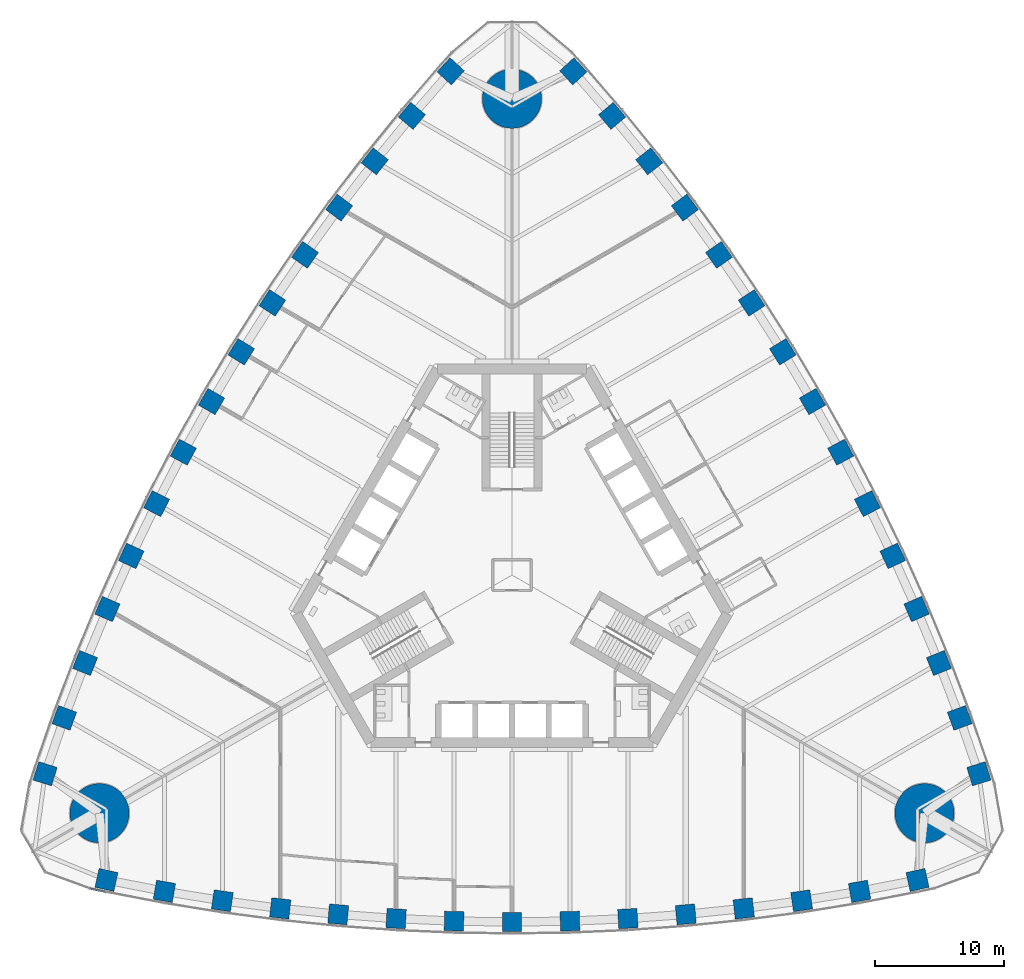
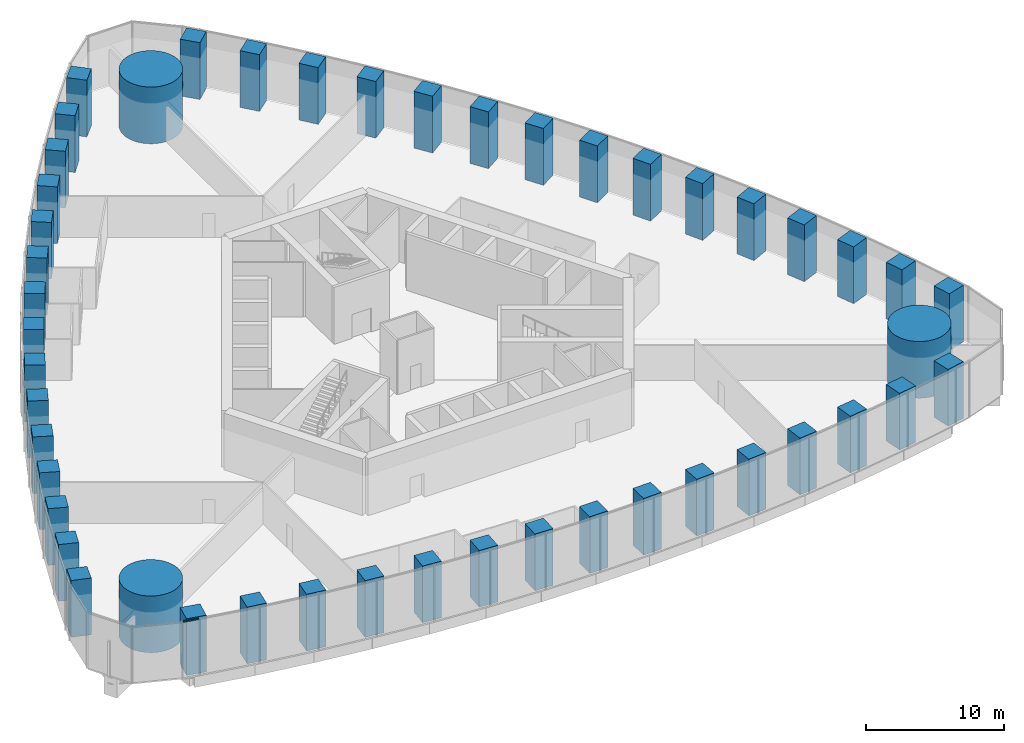
# One storey, part 1 of 21: 48 columns, 1 member, 1 element without a shape of its own.
"""IFC4 building model written with IfcOpenShell, lengths in metres."""

from ifc_helpers import new_model, si_unit, direction, frame, origin, origin_2d, place, context, subcontext, project, spatial, rectangle, circle, extrude, material, material_profile, profile_set, type_object, element, aggregate, save


model = new_model("IFC4")

# Units and contexts
model_context = context("Model", 3, precision=1e-05, world=origin(), true_north=direction((0.0, 1.0)))
body_context = subcontext(model_context, "Body", "Model", "MODEL_VIEW")
ifc_project = project(units=[si_unit("LENGTHUNIT", "METRE"), si_unit("AREAUNIT", "SQUARE_METRE"), si_unit("VOLUMEUNIT", "CUBIC_METRE"), si_unit("PLANEANGLEUNIT", "RADIAN"), si_unit("MASSUNIT", "GRAM", prefix="KILO")], contexts=[model_context])

# Site, building, storey
site_placement = place(None, origin())
site = spatial("IfcSite", under=ifc_project, at=site_placement, CompositionType="ELEMENT")
building_placement = place(site_placement, origin())
building = spatial("IfcBuilding", under=site, at=building_placement, Name="Trefoil Bronze Tower", CompositionType="ELEMENT")
storey_placement = place(building_placement, frame((0.0, 0.0, 11.5)))
storey = spatial("IfcBuildingStorey", under=building, at=storey_placement, Name="L02", CompositionType="ELEMENT", Elevation=11.5)

# Columns
ifc_material_1 = material(Name="Concrete B80", Category="concrete")
ifc_material_profile_1 = material_profile(ifc_material_1, circle(Radius=2.300048828125, at=origin_2d()), Name="RC D4600")
ifc_profile_set_1 = profile_set([ifc_material_profile_1], Name="Concrete B80")
column_type_1 = type_object("IfcColumnType", Name="Mega column RC D4600", PredefinedType="COLUMN", material=ifc_profile_set_1)
for number, where, z_axis, x_axis, name in (
    (1, (32.04296875, -18.5, 0.0), (0.0, 0.0, 1.0), (1.0, 0.0, 0.0), "Mega column K1 L02"),
    (2, (0.0, 37.0, 0.0), (0.0, 0.0, 1.0), (1.0, 0.0, 0.0), "Mega column K2 L02"),
    (3, (-32.04296875, -18.5, 0.0), (0.0, 0.0, 1.0), (1.0, 0.0, 0.0), "Mega column K3 L02"),
):
    element("IfcColumn", number, at=place(storey_placement, frame(where, z_axis=z_axis, x_axis=x_axis)), inside=storey, type_object=column_type_1, Name=name, PredefinedType="COLUMN", context=body_context, shape_type="SweptSolid", body=[
        extrude(circle(Radius=2.300048828125, at=origin_2d()), origin(), (0.0, 0.0, 1.0), 5.0),
    ])
ifc_material_2 = material(Name="Concrete B80", Category="concrete")
ifc_material_profile_2 = material_profile(ifc_material_2, rectangle(XDim=1.5, YDim=1.5, at=origin_2d()), Name="RC 1500x1500")
ifc_profile_set_2 = profile_set([ifc_material_profile_2], Name="Concrete B80")
column_type_2 = type_object("IfcColumnType", Name="Tube column RC 1500x1500", PredefinedType="COLUMN", material=ifc_profile_set_2)
for number, where, z_axis, x_axis, name in (
    (4, (-31.5, -23.684814453125, 0.0), (0.0, 0.0, 1.0), (0.976229647342, -0.216738726697, 0.0), "Tube column F1/-7 L02"),
    (5, (-27.0, -24.56787109375, 0.0), (0.0, 0.0, 1.0), (0.984722470468, -0.174131146426, 0.0), "Tube column F1/-6 L02"),
    (6, (-22.5, -25.29931640625, 0.0), (0.0, 0.0, 1.0), (0.989415676546, -0.145108990094, 0.0), "Tube column F1/-5 L02"),
    (7, (-18.0, -25.895263671875, 0.0), (0.0, 0.0, 1.0), (0.993239048989, -0.116086999973, 0.0), "Tube column F1/-4 L02"),
    (8, (-13.5, -26.35693359375, 0.0), (0.0, 0.0, 1.0), (0.996202620701, -0.087065139456, 0.0), "Tube column F1/-3 L02"),
    (9, (-9.0, -26.68603515625, 0.0), (0.0, 0.0, 1.0), (0.998314062162, -0.058043374207, 0.0), "Tube column F1/-2 L02"),
    (10, (-4.5, -26.883056640625, 0.0), (0.0, 0.0, 1.0), (0.999578782577, -0.029021671584, 0.0), "Tube column F1/-1 L02"),
    (11, (0.0, -26.94873046875, 0.0), (0.0, 0.0, 1.0), (1.0, 0.0, 0.0), "Tube column F1/+0 L02"),
    (12, (4.5, -26.883056640625, 0.0), (0.0, 0.0, 1.0), (0.999578782577, 0.029021671584, 0.0), "Tube column F1/+1 L02"),
    (13, (9.0, -26.68603515625, 0.0), (0.0, 0.0, 1.0), (0.998314062162, 0.058043374207, 0.0), "Tube column F1/+2 L02"),
    (14, (13.5, -26.35693359375, 0.0), (0.0, 0.0, 1.0), (0.996202620701, 0.087065139456, 0.0), "Tube column F1/+3 L02"),
    (15, (18.0, -25.895263671875, 0.0), (0.0, 0.0, 1.0), (0.993239048989, 0.116086999973, 0.0), "Tube column F1/+4 L02"),
    (16, (22.5, -25.29931640625, 0.0), (0.0, 0.0, 1.0), (0.989415676546, 0.145108990094, 0.0), "Tube column F1/+5 L02"),
    (17, (27.0, -24.56787109375, 0.0), (0.0, 0.0, 1.0), (0.984722470468, 0.174131146426, 0.0), "Tube column F1/+6 L02"),
    (18, (31.5, -23.684814453125, 0.0), (0.0, 0.0, 1.0), (0.976229647342, 0.216738726697, 0.0), "Tube column F1/+7 L02"),
    (19, (36.26171875, -15.4375, 0.0), (0.0, 0.0, 1.0), (-0.300413580368, 0.953809037874, 0.0), "Tube column F2/-7 L02"),
    (20, (34.7763671875, -11.0986328125, 0.0), (0.0, 0.0, 1.0), (-0.341559238839, 0.939860248316, 0.0), "Tube column F2/-6 L02"),
    (21, (33.159912109375, -6.8359375, 0.0), (0.0, 0.0, 1.0), (-0.369039766534, 0.929413605838, 0.0), "Tube column F2/-5 L02"),
    (22, (31.42578125, -2.640869140625, 0.0), (0.0, 0.0, 1.0), (-0.396085233469, 0.918213748442, 0.0), "Tube column F2/-4 L02"),
    (23, (29.575927734375, 1.487060546875, 0.0), (0.0, 0.0, 1.0), (-0.422700687798, 0.906269346572, 0.0), "Tube column F2/-3 L02"),
    (24, (27.61083984375, 5.548828125, 0.0), (0.0, 0.0, 1.0), (-0.448889994497, 0.893587025891, 0.0), "Tube column F2/-2 L02"),
    (25, (25.531494140625, 9.54443359375, 0.0), (0.0, 0.0, 1.0), (-0.474655886437, 0.880171454588, 0.0), "Tube column F2/-1 L02"),
    (26, (23.33837890625, 13.474365234375, 0.0), (0.0, 0.0, 1.0), (-0.5, 0.866025403784, 0.0), "Tube column F2/+0 L02"),
    (27, (21.031494140625, 17.338623046875, 0.0), (0.0, 0.0, 1.0), (-0.524922896141, 0.851149783004, 0.0), "Tube column F2/+1 L02"),
    (28, (18.61083984375, 21.13720703125, 0.0), (0.0, 0.0, 1.0), (-0.549424067665, 0.835543651684, 0.0), "Tube column F2/+2 L02"),
    (29, (16.075927734375, 24.869873046875, 0.0), (0.0, 0.0, 1.0), (-0.573501932903, 0.819204207116, 0.0), "Tube column F2/+3 L02"),
    (30, (13.42578125, 28.5361328125, 0.0), (0.0, 0.0, 1.0), (-0.59715381552, 0.802126748469, 0.0), "Tube column F2/+4 L02"),
    (31, (10.659912109375, 32.13525390625, 0.0), (0.0, 0.0, 1.0), (-0.620375910011, 0.784304615744, 0.0), "Tube column F2/+5 L02"),
    (32, (7.7763671875, 35.666748046875, 0.0), (0.0, 0.0, 1.0), (-0.643163231629, 0.765729101889, 0.0), "Tube column F2/+6 L02"),
    (33, (4.76171875, 39.122314453125, 0.0), (0.0, 0.0, 1.0), (-0.675816066975, 0.737070311177, 0.0), "Tube column F2/+7 L02"),
    (34, (-4.76171875, 39.122314453125, 0.0), (0.0, 0.0, 1.0), (-0.675816066975, -0.737070311177, 0.0), "Tube column F3/-7 L02"),
    (35, (-7.7763671875, 35.666748046875, 0.0), (0.0, 0.0, 1.0), (-0.643163231629, -0.765729101889, 0.0), "Tube column F3/-6 L02"),
    (36, (-10.659912109375, 32.13525390625, 0.0), (0.0, 0.0, 1.0), (-0.620375910011, -0.784304615744, 0.0), "Tube column F3/-5 L02"),
    (37, (-13.42578125, 28.5361328125, 0.0), (0.0, 0.0, 1.0), (-0.59715381552, -0.802126748469, 0.0), "Tube column F3/-4 L02"),
    (38, (-16.075927734375, 24.869873046875, 0.0), (0.0, 0.0, 1.0), (-0.573501932903, -0.819204207116, 0.0), "Tube column F3/-3 L02"),
    (39, (-18.61083984375, 21.13720703125, 0.0), (0.0, 0.0, 1.0), (-0.549424067665, -0.835543651684, 0.0), "Tube column F3/-2 L02"),
    (40, (-21.031494140625, 17.338623046875, 0.0), (0.0, 0.0, 1.0), (-0.524922896141, -0.851149783004, 0.0), "Tube column F3/-1 L02"),
    (41, (-23.33837890625, 13.474365234375, 0.0), (0.0, 0.0, 1.0), (-0.5, -0.866025403784, 0.0), "Tube column F3/+0 L02"),
    (42, (-25.531494140625, 9.54443359375, 0.0), (0.0, 0.0, 1.0), (-0.474655886437, -0.880171454588, 0.0), "Tube column F3/+1 L02"),
    (43, (-27.61083984375, 5.548828125, 0.0), (0.0, 0.0, 1.0), (-0.448889994497, -0.893587025891, 0.0), "Tube column F3/+2 L02"),
    (44, (-29.575927734375, 1.487060546875, 0.0), (0.0, 0.0, 1.0), (-0.422700687798, -0.906269346572, 0.0), "Tube column F3/+3 L02"),
    (45, (-31.42578125, -2.640869140625, 0.0), (0.0, 0.0, 1.0), (-0.396085233469, -0.918213748442, 0.0), "Tube column F3/+4 L02"),
    (46, (-33.159912109375, -6.8359375, 0.0), (0.0, 0.0, 1.0), (-0.369039766534, -0.929413605838, 0.0), "Tube column F3/+5 L02"),
    (47, (-34.7763671875, -11.0986328125, 0.0), (0.0, 0.0, 1.0), (-0.341559238839, -0.939860248316, 0.0), "Tube column F3/+6 L02"),
    (48, (-36.26171875, -15.4375, 0.0), (0.0, 0.0, 1.0), (-0.300413580368, -0.953809037874, 0.0), "Tube column F3/+7 L02"),
):
    element("IfcColumn", number, at=place(storey_placement, frame(where, z_axis=z_axis, x_axis=x_axis)), inside=storey, type_object=column_type_2, Name=name, PredefinedType="COLUMN", context=body_context, shape_type="SweptSolid", body=[
        extrude(rectangle(XDim=1.5, YDim=1.5, at=origin_2d()), origin(), (0.0, 0.0, 1.0), 5.0),
    ])

# Curtain wall, member
ifc_material_3 = material(Name="Tinted solar-control glass", Category="glass")
curtain_wall_type = type_object("IfcCurtainWallType", Name="Bronze podium storefront curtain wall", PredefinedType="USERDEFINED", material=ifc_material_3)
curtain_wall_placement = place(storey_placement, origin())
curtain_wall = element("IfcCurtainWall", 49, at=curtain_wall_placement, inside=storey, type_object=curtain_wall_type, Name="CW-C L02 F1", ObjectType="CURTAIN WALL", PredefinedType="USERDEFINED")
ifc_material_4 = material(Name="Bronze-finish aluminium", Category="aluminium")
ifc_material_profile_3 = material_profile(ifc_material_4, rectangle(XDim=0.1201171875, YDim=0.10009765625, at=origin_2d()), Name="CW-C transom")
ifc_profile_set_3 = profile_set([ifc_material_profile_3], Name="Bronze-finish aluminium")
member_type = type_object("IfcMemberType", Name="Bronze podium storefront curtain wall transom", PredefinedType="USERDEFINED", material=ifc_profile_set_3)
member_placement = place(storey_placement, frame((-32.753662109375, -24.352783203125, 4.929931640625), z_axis=(0.978304864549, -0.207170441905, 0.0), x_axis=(0.207170441905, 0.978304864549, 0.0)))
member = element("IfcMember", 50, at=member_placement, type_object=member_type, Name="CW-C L02 F1 transom 1", ObjectType="TRANSOM", PredefinedType="USERDEFINED", context=body_context, shape_type="SweptSolid", body=[
    extrude(rectangle(XDim=0.1201171875, YDim=0.10009765625, at=origin_2d()), origin(), (0.0, 0.0, 1.0), 1.230224609375),
])
aggregate(curtain_wall, [member])

save(model, "model.ifc")
